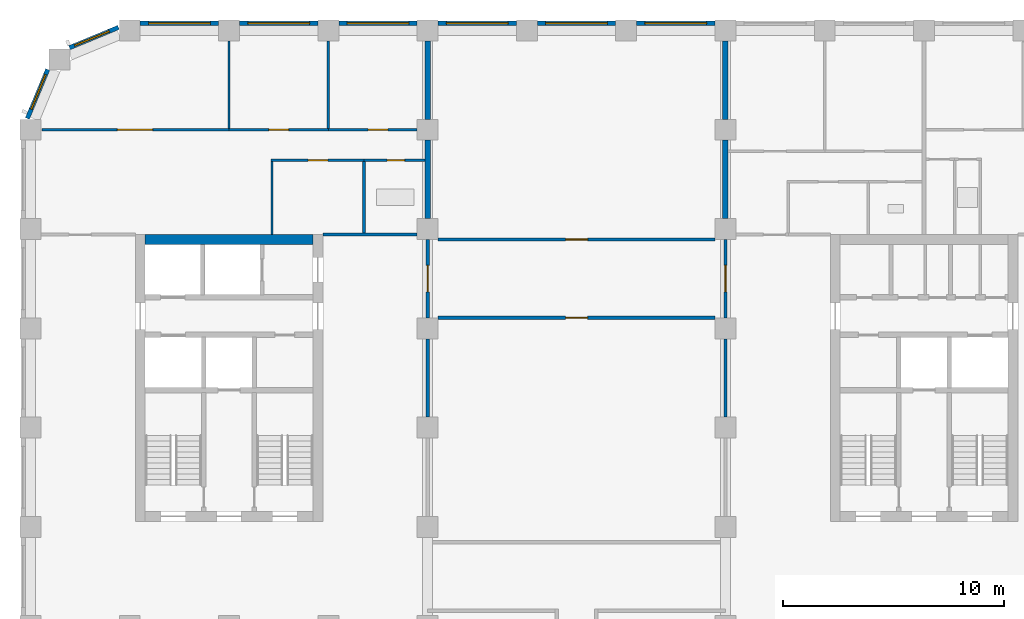
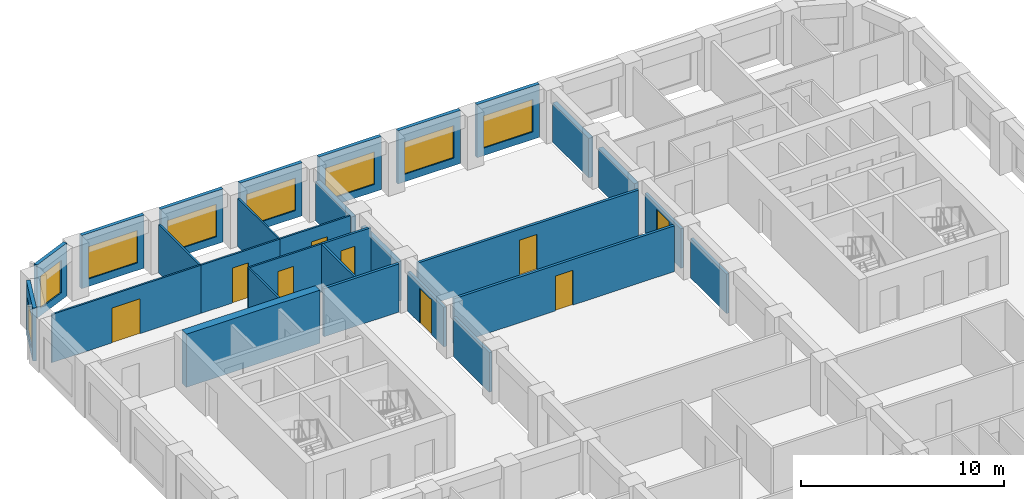
# One storey, part 7 of 12: 29 walls, 9 doors, 8 windows, 17 openings.
"""IFC4 building model written with IfcOpenShell, lengths in metres."""

import ifcopenshell
import ifcopenshell.guid

model = None  # the IFC model being written
_history = None  # IfcOwnerHistory: only IFC2X3 demands one
_inside = {}  # id of a spatial element -> (the spatial element, [elements in it])
_under = {}  # id of a project, library or spatial element -> (it, [spatial elements below it])
_declared = {}  # id of a project -> (the project, [libraries it declares])
_typed = {}  # id of a type object -> (the type object, [elements of that type])
_made_of = {}  # id of a material, layer set ... -> (it, [elements and type objects made of it])


def new_model(schema):
    """Start an empty IFC model of exactly this schema.

    Asked for "IFC4X3", IfcOpenShell would pick the latest addendum, in which some entities
    have other attributes; the version numbers below select the first issue.
    IFC2X3 requires an IfcOwnerHistory on every rooted entity: one is made here for all.
    """
    global model, _history
    if schema == "IFC4X3":
        model = ifcopenshell.file(schema_version=(4, 3, 0, 0))
    else:
        model = ifcopenshell.file(schema=schema)
    _inside.clear()
    _under.clear()
    _declared.clear()
    _typed.clear()
    _made_of.clear()
    _history = None
    if model.schema == "IFC2X3":
        org = make("IfcOrganization", Name="unknown")
        user = make(
            "IfcPersonAndOrganization",
            ThePerson=make("IfcPerson", FamilyName="unknown"),
            TheOrganization=org,
        )
        app = make(
            "IfcApplication",
            ApplicationDeveloper=org,
            Version="unknown",
            ApplicationFullName="unknown",
            ApplicationIdentifier="unknown",
        )
        _history = make(
            "IfcOwnerHistory",
            OwningUser=user,
            OwningApplication=app,
            ChangeAction="ADDED",
            CreationDate=0,
        )
    return model


def make(cls, **values):
    """One entity of the class cls with the attributes given. An attribute that is None is left unset."""
    return model.create_entity(
        cls, **{name: value for name, value in values.items() if value is not None}
    )


def rooted(cls, **values):
    """An entity with a GlobalId (a new one), such as an element, a storey or a relation."""
    return make(cls, GlobalId=ifcopenshell.guid.new(), OwnerHistory=_history, **values)


def si_unit(unit_type, name, prefix=None):
    """IfcSIUnit, for example si_unit("LENGTHUNIT", "METRE", prefix="MILLI")."""
    return make("IfcSIUnit", UnitType=unit_type, Prefix=prefix, Name=name)


def assignment(units):
    """IfcUnitAssignment: the units of a project."""
    return None if units is None else make("IfcUnitAssignment", Units=units)


def point(xyz):
    """IfcCartesianPoint."""
    return None if xyz is None else make("IfcCartesianPoint", Coordinates=xyz)


def direction(xyz):
    """IfcDirection."""
    return None if xyz is None else make("IfcDirection", DirectionRatios=xyz)


def frame(location, z_axis=None, x_axis=None):
    """IfcAxis2Placement3D, a coordinate frame: its origin and axes. An axis left out is left unset."""
    return make(
        "IfcAxis2Placement3D",
        Location=point(location),
        Axis=direction(z_axis),
        RefDirection=direction(x_axis),
    )


def frame_2d(location, x_axis=None):
    """IfcAxis2Placement2D, a coordinate frame in the plane: its origin and x axis."""
    return make(
        "IfcAxis2Placement2D", Location=point(location), RefDirection=direction(x_axis)
    )


def origin():
    """The frame at (0, 0, 0) with its axes left unset."""
    return frame((0.0, 0.0, 0.0))


def place(relative_to, where):
    """IfcLocalPlacement: puts the frame where relative to a parent placement (None: the world)."""
    return make(
        "IfcLocalPlacement", PlacementRelTo=relative_to, RelativePlacement=where
    )


def context(
    kind, dimensions, precision=None, world=None, true_north=None, identifier=None
):
    """IfcGeometricRepresentationContext, for example the 3D "Model" context."""
    return make(
        "IfcGeometricRepresentationContext",
        ContextIdentifier=identifier,
        ContextType=kind,
        CoordinateSpaceDimension=dimensions,
        Precision=precision,
        WorldCoordinateSystem=world,
        TrueNorth=true_north,
    )


def subcontext(parent, identifier, kind, view, scale=None):
    """IfcGeometricRepresentationSubContext, for example "Body" below "Model"."""
    return make(
        "IfcGeometricRepresentationSubContext",
        ContextIdentifier=identifier,
        ContextType=kind,
        ParentContext=parent,
        TargetScale=scale,
        TargetView=view,
    )


def project(units=None, contexts=None):
    """IfcProject with its units and contexts."""
    return rooted(
        "IfcProject",
        Name="project",
        RepresentationContexts=contexts,
        UnitsInContext=assignment(units),
    )


def spatial(cls, under=None, at=None, **own):
    """A site, building, storey or space (cls), placed at a placement, below another one or the project."""
    s = rooted(cls, ObjectPlacement=at, **own)
    if under is not None:
        _under.setdefault(under.id(), (under, []))[1].append(s)
    return s


def profile(cls, at=None, kind="AREA", **sizes):
    """A parametric profile (cls). Its sizes go by their IFC names, for example OverallWidth=200.0."""
    return make(cls, ProfileType=kind, Position=at, **sizes)


def rectangle(**sizes):
    """IfcRectangleProfileDef."""
    return profile("IfcRectangleProfileDef", **sizes)


def extrude(swept, where, along, depth):
    """IfcExtrudedAreaSolid: the profile swept, set in the frame where, extruded along a direction by depth."""
    return make(
        "IfcExtrudedAreaSolid",
        SweptArea=swept,
        Position=where,
        ExtrudedDirection=direction(along),
        Depth=depth,
    )


def shape(context_of_items, identifier, shape_type, items):
    """IfcShapeRepresentation: the items that make up one representation, for example the "Body"."""
    return make(
        "IfcShapeRepresentation",
        ContextOfItems=context_of_items,
        RepresentationIdentifier=identifier,
        RepresentationType=shape_type,
        Items=items,
    )


def material(Name=None, Category=None):
    """IfcMaterial."""
    return make("IfcMaterial", Name=Name, Category=Category)


def layer(
    of_material, thickness, ventilated=None, Name=None, Category=None, Priority=None
):
    """IfcMaterialLayer: one layer of a wall or slab, of a material (None: an air gap)."""
    return make(
        "IfcMaterialLayer",
        Material=of_material,
        LayerThickness=thickness,
        IsVentilated=ventilated,
        Name=Name,
        Category=Category,
        Priority=Priority,
    )


def layer_set(layers, Name=None):
    """IfcMaterialLayerSet."""
    return make("IfcMaterialLayerSet", MaterialLayers=layers, LayerSetName=Name)


def made_of(thing, what):
    """Note that an element or type object is made of a material, layer set ...; save() writes the relation."""
    if what is not None:
        _made_of.setdefault(what.id(), (what, []))[1].append(thing)
    return thing


def type_object(cls, material=None, **own):
    """A type object (cls), such as IfcWallType, which elements share."""
    return made_of(rooted(cls, **own), material)


def element(
    cls,
    number,
    at=None,
    inside=None,
    cuts=None,
    type_object=None,
    material=None,
    context=None,
    identifier="Body",
    shape_type=None,
    held_by="IfcProductDefinitionShape",
    body=None,
    shapes=None,
    **own,
):
    """One element of the class cls, such as IfcWall. Its Tag is "e" and its number.

    at: its placement. inside: the storey or other place that contains it. cuts: it is an
    opening in that element (IfcRelVoidsElement). A single representation is given by context,
    identifier, shape_type and body (its items); several are given by shapes. held_by: the class
    of the entity that holds the representations. save() writes the other relations.
    """
    e = rooted(cls, Tag="e%d" % number, ObjectPlacement=at, **own)
    if body is not None:
        shapes = [shape(context, identifier, shape_type, body)]
    if shapes is not None:
        e.Representation = make(held_by, Representations=shapes)
    if inside is not None:
        _inside.setdefault(inside.id(), (inside, []))[1].append(e)
    if cuts is not None:
        rooted(
            "IfcRelVoidsElement", RelatingBuildingElement=cuts, RelatedOpeningElement=e
        )
    if type_object is not None:
        _typed.setdefault(type_object.id(), (type_object, []))[1].append(e)
    return made_of(e, material)


def fill(opening, filler):
    """IfcRelFillsElement: the door or window that sits in an opening."""
    return rooted(
        "IfcRelFillsElement",
        RelatingOpeningElement=opening,
        RelatedBuildingElement=filler,
    )


def aggregate(whole, parts):
    """IfcRelAggregates: a whole, such as a stair, and the parts it consists of."""
    return rooted("IfcRelAggregates", RelatingObject=whole, RelatedObjects=parts)


def save(model, path):
    """Write the relations noted so far, then the file.

    IfcRelAggregates (storeys below a building ...), IfcRelContainedInSpatialStructure (elements
    in a storey), IfcRelDefinesByType, IfcRelAssociatesMaterial and IfcRelDeclares: one each for
    every whole, place, type object, material and project.
    """
    for whole, parts in _under.values():
        aggregate(whole, parts)
    for where, things in _inside.values():
        rooted(
            "IfcRelContainedInSpatialStructure",
            RelatedElements=things,
            RelatingStructure=where,
        )
    for kind, things in _typed.values():
        rooted("IfcRelDefinesByType", RelatedObjects=things, RelatingType=kind)
    for what, things in _made_of.values():
        rooted("IfcRelAssociatesMaterial", RelatedObjects=things, RelatingMaterial=what)
    for by, libraries in _declared.values():
        rooted("IfcRelDeclares", RelatingContext=by, RelatedDefinitions=libraries)
    model.write(path)


model = new_model("IFC4")

# Units and contexts
model_context = context("Model", 3, precision=1e-05, world=origin(), true_north=direction((0.0, 1.0)))
body_context = subcontext(model_context, "Body", "Model", "MODEL_VIEW")
ifc_project = project(units=[si_unit("LENGTHUNIT", "METRE"), si_unit("AREAUNIT", "SQUARE_METRE"), si_unit("VOLUMEUNIT", "CUBIC_METRE"), si_unit("PLANEANGLEUNIT", "RADIAN"), si_unit("MASSUNIT", "GRAM", prefix="KILO")], contexts=[model_context])

# Site, building, storey
site_placement = place(None, origin())
site = spatial("IfcSite", under=ifc_project, at=site_placement, CompositionType="ELEMENT")
building_placement = place(site_placement, origin())
building = spatial("IfcBuilding", under=site, at=building_placement, Name="Girih Gate Residences", CompositionType="ELEMENT")
storey_placement = place(building_placement, frame((0.0, 0.0, 143.0)))
storey = spatial("IfcBuildingStorey", under=building, at=storey_placement, Name="L40", CompositionType="ELEMENT", Elevation=143.0)

# Walls
ifc_material_1 = material(Name="Gypsum board on steel studs", Category="steel")
ifc_layer_1 = layer(ifc_material_1, 0.25)
ifc_layer_set_1 = layer_set([ifc_layer_1], Name="Acoustic separating wall 250 mm")
wall_type_1 = type_object("IfcWallType", Name="Acoustic separating wall 250 mm", PredefinedType="PARTITIONING", material=ifc_layer_set_1)
for number, where, z_axis, x_axis, name in (
    (1, (18.0, 40.97509765625, 0.0), (0.0, 0.0, 1.0), (0.0, 1.0, 0.0), "L40 partition"),
    (2, (18.0, 45.47509765625, 0.0), (0.0, 0.0, 1.0), (0.0, 1.0, 0.0), "L40 partition"),
    (3, (31.5, 40.97509765625, 0.0), (0.0, 0.0, 1.0), (0.0, 1.0, 0.0), "L40 partition"),
    (4, (31.5, 45.47509765625, 0.0), (0.0, 0.0, 1.0), (0.0, 1.0, 0.0), "L40 partition"),
):
    element("IfcWall", number, at=place(storey_placement, frame(where, z_axis=z_axis, x_axis=x_axis)), inside=storey, type_object=wall_type_1, Name=name, PredefinedType="PARTITIONING", context=body_context, shape_type="SweptSolid", body=[
        extrude(rectangle(XDim=3.5498046875, YDim=0.25, at=frame_2d((1.77490234375, 0.0))), origin(), (0.0, 0.0, 1.0), 2.3798828125),
    ])
ifc_layer_2 = layer(ifc_material_1, 0.14990234375)
ifc_layer_set_2 = layer_set([ifc_layer_2], Name="Compartment wall 150 mm")
wall_type_2 = type_object("IfcWallType", Name="Compartment wall 150 mm", PredefinedType="PARTITIONING", material=ifc_layer_set_2)
wall_1_placement = place(storey_placement, frame((13.25, 40.25, 0.0), z_axis=(0.0, 0.0, 1.0), x_axis=(1.0, 0.0, 0.0)))
element("IfcWall", 5, at=wall_1_placement, inside=storey, type_object=wall_type_2, Name="L40 partition", PredefinedType="PARTITIONING", context=body_context, shape_type="SweptSolid", body=[
    extrude(rectangle(XDim=4.27490234375, YDim=0.14990234375, at=frame_2d((2.137451171875, 0.0))), origin(), (0.0, 0.0, 1.0), 2.89990234375),
])

# Wall, opening, door
wall_2_placement = place(storey_placement, frame((18.47509765625, 40.02490234375, 0.0), z_axis=(0.0, 0.0, 1.0), x_axis=(1.0, 0.0, 0.0)))
wall_2 = element("IfcWall", 6, at=wall_2_placement, inside=storey, type_object=wall_type_2, Name="L40 partition", PredefinedType="PARTITIONING", context=body_context, shape_type="SweptSolid", body=[
    extrude(rectangle(XDim=12.5498046875, YDim=0.14990234375, at=frame_2d((6.27490234375, 0.0))), origin(), (0.0, 0.0, 1.0), 2.75),
])
opening_1_placement = place(wall_2_placement, frame((5.77490234375, 0.0, 0.0)))
opening_1 = element("IfcOpeningElement", 7, at=opening_1_placement, cuts=wall_2, Name="Opening A40-038", PredefinedType="OPENING", context=body_context, shape_type="SweptSolid", body=[
    extrude(rectangle(XDim=1.0, YDim=2.10009765625, at=frame_2d((0.5, 1.050048828125))), frame((0.0, 0.0849609375, 0.0), z_axis=(0.0, -1.0, 0.0), x_axis=(1.0, 0.0, 0.0)), (0.0, 0.0, 1.0), 0.169921875),
])
ifc_material_2 = material(Name="Timber, fire-rated core", Category="wood")
door_type_1 = type_object("IfcDoorType", Name="Amenity room door 1000x2100 FD30S", OperationType="NOTDEFINED", PredefinedType="DOOR", material=ifc_material_2)
door_1_placement = place(opening_1_placement, origin())
door_1 = element("IfcDoor", 8, at=door_1_placement, inside=storey, type_object=door_type_1, Name="Door A40-038", OperationType="SINGLE_SWING_RIGHT", OverallHeight=2.10009765625, OverallWidth=1.0, PredefinedType="DOOR", context=body_context, shape_type="SweptSolid", body=[
    extrude(rectangle(XDim=1.0, YDim=2.10009765625, at=frame_2d((0.5, 1.050048828125))), frame((0.0, 0.02490234375, 0.0), z_axis=(0.0, -1.0, 0.0), x_axis=(1.0, 0.0, 0.0)), (0.0, 0.0, 1.0), 0.050048828125),
])
fill(opening_1, door_1)

wall_3_placement = place(storey_placement, frame((31.02490234375, 36.47509765625, 0.0), z_axis=(0.0, 0.0, 1.0), x_axis=(-1.0, 0.0, 0.0)))
wall_3 = element("IfcWall", 9, at=wall_3_placement, inside=storey, type_object=wall_type_2, Name="L40 partition", PredefinedType="PARTITIONING", context=body_context, shape_type="SweptSolid", body=[
    extrude(rectangle(XDim=12.5498046875, YDim=0.14990234375, at=frame_2d((6.27490234375, 0.0))), origin(), (0.0, 0.0, 1.0), 2.75),
])
opening_2_placement = place(wall_3_placement, frame((5.77490234375, 0.0, 0.0)))
opening_2 = element("IfcOpeningElement", 10, at=opening_2_placement, cuts=wall_3, Name="Opening A40-039", PredefinedType="OPENING", context=body_context, shape_type="SweptSolid", body=[
    extrude(rectangle(XDim=1.0, YDim=2.10009765625, at=frame_2d((0.5, 1.050048828125))), frame((0.0, 0.0849609375, 0.0), z_axis=(0.0, -1.0, 0.0), x_axis=(1.0, 0.0, 0.0)), (0.0, 0.0, 1.0), 0.169921875),
])
door_2_placement = place(opening_2_placement, origin())
door_2 = element("IfcDoor", 11, at=door_2_placement, inside=storey, type_object=door_type_1, Name="Door A40-039", OperationType="SINGLE_SWING_RIGHT", OverallHeight=2.10009765625, OverallWidth=1.0, PredefinedType="DOOR", context=body_context, shape_type="SweptSolid", body=[
    extrude(rectangle(XDim=1.0, YDim=2.10009765625, at=frame_2d((0.5, 1.050048828125))), frame((0.0, 0.02490234375, 0.0), z_axis=(0.0, -1.0, 0.0), x_axis=(1.0, 0.0, 0.0)), (0.0, 0.0, 1.0), 0.050048828125),
])
fill(opening_2, door_2)

wall_4_placement = place(storey_placement, frame((31.5, 36.47509765625, 0.0), z_axis=(0.0, 0.0, 1.0), x_axis=(0.0, 1.0, 0.0)))
wall_4 = element("IfcWall", 12, at=wall_4_placement, inside=storey, type_object=wall_type_2, Name="L40 partition", PredefinedType="PARTITIONING", context=body_context, shape_type="SweptSolid", body=[
    extrude(rectangle(XDim=3.5498046875, YDim=0.14990234375, at=frame_2d((1.77490234375, 0.0))), origin(), (0.0, 0.0, 1.0), 2.3798828125),
])
opening_3_placement = place(wall_4_placement, frame((1.175048828125, 0.0, 0.0)))
opening_3 = element("IfcOpeningElement", 13, at=opening_3_placement, cuts=wall_4, Name="Opening A40-040", PredefinedType="OPENING", context=body_context, shape_type="SweptSolid", body=[
    extrude(rectangle(XDim=1.199951171875, YDim=2.10009765625, at=frame_2d((0.60009765625, 1.050048828125))), frame((0.0, 0.0849609375, 0.0), z_axis=(0.0, -1.0, 0.0), x_axis=(1.0, 0.0, 0.0)), (0.0, 0.0, 1.0), 0.169921875),
])
door_type_2 = type_object("IfcDoorType", Name="Corridor fire door 1200x2100 FD30S", OperationType="NOTDEFINED", PredefinedType="DOOR", material=ifc_material_2)
door_3_placement = place(opening_3_placement, origin())
door_3 = element("IfcDoor", 14, at=door_3_placement, inside=storey, type_object=door_type_2, Name="Door A40-040", OperationType="SINGLE_SWING_LEFT", OverallHeight=2.10009765625, OverallWidth=1.199951171875, PredefinedType="DOOR", context=body_context, shape_type="SweptSolid", body=[
    extrude(rectangle(XDim=1.199951171875, YDim=2.10009765625, at=frame_2d((0.60009765625, 1.050048828125))), frame((0.0, 0.02490234375, 0.0), z_axis=(0.0, -1.0, 0.0), x_axis=(1.0, 0.0, 0.0)), (0.0, 0.0, 1.0), 0.050048828125),
])
fill(opening_3, door_3)

wall_5_placement = place(storey_placement, frame((18.0, 40.02490234375, 0.0), z_axis=(0.0, 0.0, 1.0), x_axis=(0.0, -1.0, 0.0)))
wall_5 = element("IfcWall", 15, at=wall_5_placement, inside=storey, type_object=wall_type_2, Name="L40 partition", PredefinedType="PARTITIONING", context=body_context, shape_type="SweptSolid", body=[
    extrude(rectangle(XDim=3.5498046875, YDim=0.14990234375, at=frame_2d((1.77490234375, 0.0))), origin(), (0.0, 0.0, 1.0), 2.3798828125),
])
opening_4_placement = place(wall_5_placement, frame((1.175048828125, 0.0, 0.0)))
opening_4 = element("IfcOpeningElement", 16, at=opening_4_placement, cuts=wall_5, Name="Opening A40-041", PredefinedType="OPENING", context=body_context, shape_type="SweptSolid", body=[
    extrude(rectangle(XDim=1.199951171875, YDim=2.10009765625, at=frame_2d((0.60009765625, 1.050048828125))), frame((0.0, 0.0849609375, 0.0), z_axis=(0.0, -1.0, 0.0), x_axis=(1.0, 0.0, 0.0)), (0.0, 0.0, 1.0), 0.169921875),
])
door_4_placement = place(opening_4_placement, origin())
door_4 = element("IfcDoor", 17, at=door_4_placement, inside=storey, type_object=door_type_2, Name="Door A40-041", OperationType="SINGLE_SWING_LEFT", OverallHeight=2.10009765625, OverallWidth=1.199951171875, PredefinedType="DOOR", context=body_context, shape_type="SweptSolid", body=[
    extrude(rectangle(XDim=1.199951171875, YDim=2.10009765625, at=frame_2d((0.60009765625, 1.050048828125))), frame((0.0, 0.02490234375, 0.0), z_axis=(0.0, -1.0, 0.0), x_axis=(1.0, 0.0, 0.0)), (0.0, 0.0, 1.0), 0.050048828125),
])
fill(opening_4, door_4)

# Walls
for number, where, z_axis, x_axis, name in (
    (18, (31.5, 31.97509765625, 0.0), (0.0, 0.0, 1.0), (0.0, 1.0, 0.0), "L40 partition"),
    (19, (18.0, 31.97509765625, 0.0), (0.0, 0.0, 1.0), (0.0, 1.0, 0.0), "L40 partition"),
):
    element("IfcWall", number, at=place(storey_placement, frame(where, z_axis=z_axis, x_axis=x_axis)), inside=storey, type_object=wall_type_2, Name=name, PredefinedType="PARTITIONING", context=body_context, shape_type="SweptSolid", body=[
        extrude(rectangle(XDim=3.5498046875, YDim=0.14990234375, at=frame_2d((1.77490234375, 0.0))), origin(), (0.0, 0.0, 1.0), 2.3798828125),
    ])
ifc_material_3 = material(Name="Concrete C60/75", Category="concrete")
ifc_layer_3 = layer(ifc_material_3, 0.449951171875)
ifc_layer_set_3 = layer_set([ifc_layer_3], Name="Core wall RC 450 Concrete C60/75")
wall_type_3 = type_object("IfcWallType", Name="Core wall RC 450 Concrete C60/75", PredefinedType="SOLIDWALL", material=ifc_layer_set_3)
wall_6_placement = place(storey_placement, frame((5.199951171875, 40.02490234375, 0.0), z_axis=(0.0, 0.0, 1.0), x_axis=(1.0, 0.0, 0.0)))
element("IfcWall", 20, at=wall_6_placement, inside=storey, type_object=wall_type_3, Name="Core wall W-N L40", PredefinedType="SOLIDWALL", context=body_context, shape_type="SweptSolid", body=[
    extrude(rectangle(XDim=7.60009765625, YDim=0.449951171875, at=frame_2d((3.800048828125, 0.0))), origin(), (0.0, 0.0, 1.0), 3.199951171875),
])
ifc_layer_4 = layer(ifc_material_1, 0.10009765625)
ifc_layer_set_4 = layer_set([ifc_layer_4], Name="Partition 100 mm")
wall_type_4 = type_object("IfcWallType", Name="Partition 100 mm", PredefinedType="PARTITIONING", material=ifc_layer_set_4)
wall_7_placement = place(storey_placement, frame((13.5, 45.050048828125, 0.0), z_axis=(0.0, 0.0, 1.0), x_axis=(0.0, 1.0, 0.0)))
element("IfcWall", 21, at=wall_7_placement, inside=storey, type_object=wall_type_4, Name="L40 partition", PredefinedType="PARTITIONING", context=body_context, shape_type="SweptSolid", body=[
    extrude(rectangle(XDim=3.974853515625, YDim=0.10009765625, at=frame_2d((1.9873046875, 0.0))), origin(), (0.0, 0.0, 1.0), 2.89990234375),
])

# Wall, opening, door
wall_8_placement = place(storey_placement, frame((9.0, 45.0, 0.0), z_axis=(0.0, 0.0, 1.0), x_axis=(1.0, 0.0, 0.0)))
wall_8 = element("IfcWall", 22, at=wall_8_placement, inside=storey, type_object=wall_type_4, Name="L40 partition", PredefinedType="PARTITIONING", context=body_context, shape_type="SweptSolid", body=[
    extrude(rectangle(XDim=4.5, YDim=0.10009765625, at=frame_2d((2.25, 0.0))), origin(), (0.0, 0.0, 1.0), 2.89990234375),
])
opening_5_placement = place(wall_8_placement, frame((1.800048828125, 0.0, 0.0)))
opening_5 = element("IfcOpeningElement", 23, at=opening_5_placement, cuts=wall_8, Name="Opening A40-011", PredefinedType="OPENING", context=body_context, shape_type="SweptSolid", body=[
    extrude(rectangle(XDim=0.89990234375, YDim=2.10009765625, at=frame_2d((0.449951171875, 1.050048828125))), frame((0.0, 0.06005859375, 0.0), z_axis=(0.0, -1.0, 0.0), x_axis=(1.0, 0.0, 0.0)), (0.0, 0.0, 1.0), 0.1201171875),
])
ifc_material_4 = material(Name="Timber", Category="wood")
door_type_3 = type_object("IfcDoorType", Name="Bedroom door 900x2100", OperationType="NOTDEFINED", PredefinedType="DOOR", material=ifc_material_4)
door_5_placement = place(opening_5_placement, origin())
door_5 = element("IfcDoor", 24, at=door_5_placement, inside=storey, type_object=door_type_3, Name="Door A40-011", OperationType="SINGLE_SWING_LEFT", OverallHeight=2.10009765625, OverallWidth=0.89990234375, PredefinedType="DOOR", context=body_context, shape_type="SweptSolid", body=[
    extrude(rectangle(XDim=0.89990234375, YDim=2.10009765625, at=frame_2d((0.449951171875, 1.050048828125))), frame((0.0, 0.02490234375, 0.0), z_axis=(0.0, -1.0, 0.0), x_axis=(1.0, 0.0, 0.0)), (0.0, 0.0, 1.0), 0.050048828125),
])
fill(opening_5, door_5)

# Wall
wall_9_placement = place(storey_placement, frame((9.0, 45.050048828125, 0.0), z_axis=(0.0, 0.0, 1.0), x_axis=(0.0, 1.0, 0.0)))
element("IfcWall", 25, at=wall_9_placement, inside=storey, type_object=wall_type_4, Name="L40 partition", PredefinedType="PARTITIONING", context=body_context, shape_type="SweptSolid", body=[
    extrude(rectangle(XDim=3.974853515625, YDim=0.10009765625, at=frame_2d((1.9873046875, 0.0))), origin(), (0.0, 0.0, 1.0), 2.89990234375),
])

# Wall, opening, door
wall_10_placement = place(storey_placement, frame((13.5, 45.0, 0.0), z_axis=(0.0, 0.0, 1.0), x_axis=(1.0, 0.0, 0.0)))
wall_10 = element("IfcWall", 26, at=wall_10_placement, inside=storey, type_object=wall_type_4, Name="L40 partition", PredefinedType="PARTITIONING", context=body_context, shape_type="SweptSolid", body=[
    extrude(rectangle(XDim=4.02490234375, YDim=0.10009765625, at=frame_2d((2.012451171875, 0.0))), origin(), (0.0, 0.0, 1.0), 2.89990234375),
])
opening_6_placement = place(wall_10_placement, frame((1.800048828125, 0.0, 0.0)))
opening_6 = element("IfcOpeningElement", 27, at=opening_6_placement, cuts=wall_10, Name="Opening A40-012", PredefinedType="OPENING", context=body_context, shape_type="SweptSolid", body=[
    extrude(rectangle(XDim=0.89990234375, YDim=2.10009765625, at=frame_2d((0.449951171875, 1.050048828125))), frame((0.0, 0.06005859375, 0.0), z_axis=(0.0, -1.0, 0.0), x_axis=(1.0, 0.0, 0.0)), (0.0, 0.0, 1.0), 0.1201171875),
])
door_6_placement = place(opening_6_placement, origin())
door_6 = element("IfcDoor", 28, at=door_6_placement, inside=storey, type_object=door_type_3, Name="Door A40-012", OperationType="SINGLE_SWING_RIGHT", OverallHeight=2.10009765625, OverallWidth=0.89990234375, PredefinedType="DOOR", context=body_context, shape_type="SweptSolid", body=[
    extrude(rectangle(XDim=0.89990234375, YDim=2.10009765625, at=frame_2d((0.449951171875, 1.050048828125))), frame((0.0, 0.02490234375, 0.0), z_axis=(0.0, -1.0, 0.0), x_axis=(1.0, 0.0, 0.0)), (0.0, 0.0, 1.0), 0.050048828125),
])
fill(opening_6, door_6)

wall_11_placement = place(storey_placement, frame((15.119384765625, 43.6201171875, 0.0), z_axis=(0.0, 0.0, 1.0), x_axis=(-1.0, 0.0, 0.0)))
wall_11 = element("IfcWall", 29, at=wall_11_placement, inside=storey, type_object=wall_type_4, Name="L40 partition", PredefinedType="PARTITIONING", context=body_context, shape_type="SweptSolid", body=[
    extrude(rectangle(XDim=4.219482421875, YDim=0.10009765625, at=frame_2d((2.10986328125, 0.0))), origin(), (0.0, 0.0, 1.0), 2.89990234375),
])
opening_7_placement = place(wall_11_placement, frame((1.634765625, 0.0, 0.0)))
opening_7 = element("IfcOpeningElement", 30, at=opening_7_placement, cuts=wall_11, Name="Opening A40-013", PredefinedType="OPENING", context=body_context, shape_type="SweptSolid", body=[
    extrude(rectangle(XDim=0.89990234375, YDim=2.10009765625, at=frame_2d((0.449951171875, 1.050048828125))), frame((0.0, 0.06005859375, 0.0), z_axis=(0.0, -1.0, 0.0), x_axis=(1.0, 0.0, 0.0)), (0.0, 0.0, 1.0), 0.1201171875),
])
door_type_4 = type_object("IfcDoorType", Name="Kitchen door 900x2100", OperationType="NOTDEFINED", PredefinedType="DOOR", material=ifc_material_4)
door_7_placement = place(opening_7_placement, origin())
door_7 = element("IfcDoor", 31, at=door_7_placement, inside=storey, type_object=door_type_4, Name="Door A40-013", OperationType="SINGLE_SWING_LEFT", OverallHeight=2.10009765625, OverallWidth=0.89990234375, PredefinedType="DOOR", context=body_context, shape_type="SweptSolid", body=[
    extrude(rectangle(XDim=0.89990234375, YDim=2.10009765625, at=frame_2d((0.449951171875, 1.050048828125))), frame((0.0, 0.02490234375, 0.0), z_axis=(0.0, -1.0, 0.0), x_axis=(1.0, 0.0, 0.0)), (0.0, 0.0, 1.0), 0.050048828125),
])
fill(opening_7, door_7)

# Wall
wall_12_placement = place(storey_placement, frame((10.949951171875, 40.25, 0.0), z_axis=(0.0, 0.0, 1.0), x_axis=(0.0, 1.0, 0.0)))
element("IfcWall", 32, at=wall_12_placement, inside=storey, type_object=wall_type_4, Name="L40 partition", PredefinedType="PARTITIONING", context=body_context, shape_type="SweptSolid", body=[
    extrude(rectangle(XDim=3.320068359375, YDim=0.10009765625, at=frame_2d((1.66015625, 0.0))), origin(), (0.0, 0.0, 1.0), 2.89990234375),
])

# Wall, opening, door
wall_13_placement = place(storey_placement, frame((0.51416015625, 45.0, 0.0), z_axis=(0.0, 0.0, 1.0), x_axis=(1.0, 0.0, 0.0)))
wall_13 = element("IfcWall", 33, at=wall_13_placement, inside=storey, type_object=wall_type_4, Name="L40 partition", PredefinedType="PARTITIONING", context=body_context, shape_type="SweptSolid", body=[
    extrude(rectangle(XDim=8.48583984375, YDim=0.10009765625, at=frame_2d((4.242919921875, 0.0))), origin(), (0.0, 0.0, 1.0), 2.89990234375),
])
opening_8_placement = place(wall_13_placement, frame((3.42333984375, 0.0, 0.0)))
opening_8 = element("IfcOpeningElement", 34, at=opening_8_placement, cuts=wall_13, Name="Opening A40-014", PredefinedType="OPENING", context=body_context, shape_type="SweptSolid", body=[
    extrude(rectangle(XDim=1.60009765625, YDim=2.10009765625, at=frame_2d((0.800048828125, 1.050048828125))), frame((0.0, 0.06005859375, 0.0), z_axis=(0.0, -1.0, 0.0), x_axis=(1.0, 0.0, 0.0)), (0.0, 0.0, 1.0), 0.1201171875),
])
door_type_5 = type_object("IfcDoorType", Name="Double leaf door 1600x2100", OperationType="NOTDEFINED", PredefinedType="DOOR", material=ifc_material_4)
door_8_placement = place(opening_8_placement, origin())
door_8 = element("IfcDoor", 35, at=door_8_placement, inside=storey, type_object=door_type_5, Name="Door A40-014", OperationType="SINGLE_SWING_LEFT", OverallHeight=2.10009765625, OverallWidth=1.60009765625, PredefinedType="DOOR", context=body_context, shape_type="SweptSolid", body=[
    extrude(rectangle(XDim=1.60009765625, YDim=2.10009765625, at=frame_2d((0.800048828125, 1.050048828125))), frame((0.0, 0.02490234375, 0.0), z_axis=(0.0, -1.0, 0.0), x_axis=(1.0, 0.0, 0.0)), (0.0, 0.0, 1.0), 0.050048828125),
])
fill(opening_8, door_8)

# Wall, opening, window
ifc_material_5 = material(Name="Precast concrete C50/60", Category="concrete")
ifc_layer_5 = layer(ifc_material_5, 0.06005859375, Name="Outer leaf")
ifc_material_6 = material(Name="Rigid PIR insulation")
ifc_layer_6 = layer(ifc_material_6, 0.090087890625, Name="Insulation")
ifc_material_7 = material(Name="Precast concrete C40/50", Category="concrete")
ifc_layer_7 = layer(ifc_material_7, 0.050048828125, Name="Inner leaf")
ifc_layer_set_5 = layer_set([ifc_layer_5, ifc_layer_6, ifc_layer_7], Name="Precast concrete C50/60 external wall 200")
wall_type_5 = type_object("IfcWallType", Name="Precast concrete C50/60 external wall 200", PredefinedType="SOLIDWALL", material=ifc_layer_set_5)
wall_14_placement = place(storey_placement, frame((27.47509765625, 49.824951171875, 0.0), z_axis=(0.0, 0.0, 1.0), x_axis=(1.0, 0.0, 0.0)))
wall_14 = element("IfcWall", 36, at=wall_14_placement, inside=storey, type_object=wall_type_5, Name="External wall N0450_0495.3", PredefinedType="SOLIDWALL", context=body_context, shape_type="SweptSolid", body=[
    extrude(rectangle(XDim=3.5498046875, YDim=0.199951171875, at=frame_2d((1.77490234375, 0.0))), origin(), (0.0, 0.0, 1.0), 3.199951171875),
])
opening_9_placement = place(wall_14_placement, frame((0.375, 0.0, 0.449951171875)))
opening_9 = element("IfcOpeningElement", 37, at=opening_9_placement, cuts=wall_14, Name="Opening W-1B", PredefinedType="OPENING", context=body_context, shape_type="SweptSolid", body=[
    extrude(rectangle(XDim=2.800048828125, YDim=1.949951171875, at=frame_2d((1.39990234375, 0.97509765625))), frame((0.0, 0.10986328125, 0.0), z_axis=(0.0, -1.0, 0.0), x_axis=(1.0, 0.0, 0.0)), (0.0, 0.0, 1.0), 0.219970703125),
])
ifc_material_8 = material(Name="Double glazing in aluminium frame", Category="aluminium")
window_type_1 = type_object("IfcWindowType", Name="Window W-1B 2800x1950", PartitioningType="SINGLE_PANEL", PredefinedType="WINDOW", material=ifc_material_8)
window_1_placement = place(opening_9_placement, origin())
window_1 = element("IfcWindow", 38, at=window_1_placement, inside=storey, type_object=window_type_1, Name="Window W-1B N0450_0495.3", OverallHeight=1.949951171875, OverallWidth=2.800048828125, PartitioningType="SINGLE_PANEL", PredefinedType="WINDOW", context=body_context, shape_type="SweptSolid", body=[
    extrude(rectangle(XDim=2.800048828125, YDim=1.949951171875, at=frame_2d((1.39990234375, 0.97509765625))), frame((0.0, 0.030029296875, 0.0), z_axis=(0.0, -1.0, 0.0), x_axis=(1.0, 0.0, 0.0)), (0.0, 0.0, 1.0), 0.06005859375),
])
fill(opening_9, window_1)

wall_15_placement = place(storey_placement, frame((22.97509765625, 49.824951171875, 0.0), z_axis=(0.0, 0.0, 1.0), x_axis=(1.0, 0.0, 0.0)))
wall_15 = element("IfcWall", 39, at=wall_15_placement, inside=storey, type_object=wall_type_5, Name="External wall N0450_0495.4", PredefinedType="SOLIDWALL", context=body_context, shape_type="SweptSolid", body=[
    extrude(rectangle(XDim=3.5498046875, YDim=0.199951171875, at=frame_2d((1.77490234375, 0.0))), origin(), (0.0, 0.0, 1.0), 3.199951171875),
])
opening_10_placement = place(wall_15_placement, frame((0.375, 0.0, 0.449951171875)))
opening_10 = element("IfcOpeningElement", 40, at=opening_10_placement, cuts=wall_15, Name="Opening W-1B", PredefinedType="OPENING", context=body_context, shape_type="SweptSolid", body=[
    extrude(rectangle(XDim=2.800048828125, YDim=1.949951171875, at=frame_2d((1.39990234375, 0.97509765625))), frame((0.0, 0.10986328125, 0.0), z_axis=(0.0, -1.0, 0.0), x_axis=(1.0, 0.0, 0.0)), (0.0, 0.0, 1.0), 0.219970703125),
])
window_2_placement = place(opening_10_placement, origin())
window_2 = element("IfcWindow", 41, at=window_2_placement, inside=storey, type_object=window_type_1, Name="Window W-1B N0450_0495.4", OverallHeight=1.949951171875, OverallWidth=2.800048828125, PartitioningType="SINGLE_PANEL", PredefinedType="WINDOW", context=body_context, shape_type="SweptSolid", body=[
    extrude(rectangle(XDim=2.800048828125, YDim=1.949951171875, at=frame_2d((1.39990234375, 0.97509765625))), frame((0.0, 0.030029296875, 0.0), z_axis=(0.0, -1.0, 0.0), x_axis=(1.0, 0.0, 0.0)), (0.0, 0.0, 1.0), 0.06005859375),
])
fill(opening_10, window_2)

wall_16_placement = place(storey_placement, frame((18.47509765625, 49.824951171875, 0.0), z_axis=(0.0, 0.0, 1.0), x_axis=(1.0, 0.0, 0.0)))
wall_16 = element("IfcWall", 42, at=wall_16_placement, inside=storey, type_object=wall_type_5, Name="External wall N0450_0495.5", PredefinedType="SOLIDWALL", context=body_context, shape_type="SweptSolid", body=[
    extrude(rectangle(XDim=3.5498046875, YDim=0.199951171875, at=frame_2d((1.77490234375, 0.0))), origin(), (0.0, 0.0, 1.0), 3.199951171875),
])
opening_11_placement = place(wall_16_placement, frame((0.375, 0.0, 0.449951171875)))
opening_11 = element("IfcOpeningElement", 43, at=opening_11_placement, cuts=wall_16, Name="Opening W-1B", PredefinedType="OPENING", context=body_context, shape_type="SweptSolid", body=[
    extrude(rectangle(XDim=2.800048828125, YDim=1.949951171875, at=frame_2d((1.39990234375, 0.97509765625))), frame((0.0, 0.10986328125, 0.0), z_axis=(0.0, -1.0, 0.0), x_axis=(1.0, 0.0, 0.0)), (0.0, 0.0, 1.0), 0.219970703125),
])
window_3_placement = place(opening_11_placement, origin())
window_3 = element("IfcWindow", 44, at=window_3_placement, inside=storey, type_object=window_type_1, Name="Window W-1B N0450_0495.5", OverallHeight=1.949951171875, OverallWidth=2.800048828125, PartitioningType="SINGLE_PANEL", PredefinedType="WINDOW", context=body_context, shape_type="SweptSolid", body=[
    extrude(rectangle(XDim=2.800048828125, YDim=1.949951171875, at=frame_2d((1.39990234375, 0.97509765625))), frame((0.0, 0.030029296875, 0.0), z_axis=(0.0, -1.0, 0.0), x_axis=(1.0, 0.0, 0.0)), (0.0, 0.0, 1.0), 0.06005859375),
])
fill(opening_11, window_3)

wall_17_placement = place(storey_placement, frame((13.97509765625, 49.824951171875, 0.0), z_axis=(0.0, 0.0, 1.0), x_axis=(1.0, 0.0, 0.0)))
wall_17 = element("IfcWall", 45, at=wall_17_placement, inside=storey, type_object=wall_type_5, Name="External wall N0450_0495.6", PredefinedType="SOLIDWALL", context=body_context, shape_type="SweptSolid", body=[
    extrude(rectangle(XDim=3.5498046875, YDim=0.199951171875, at=frame_2d((1.77490234375, 0.0))), origin(), (0.0, 0.0, 1.0), 3.199951171875),
])
opening_12_placement = place(wall_17_placement, frame((0.375, 0.0, 0.449951171875)))
opening_12 = element("IfcOpeningElement", 46, at=opening_12_placement, cuts=wall_17, Name="Opening W-1B", PredefinedType="OPENING", context=body_context, shape_type="SweptSolid", body=[
    extrude(rectangle(XDim=2.800048828125, YDim=1.949951171875, at=frame_2d((1.39990234375, 0.97509765625))), frame((0.0, 0.10986328125, 0.0), z_axis=(0.0, -1.0, 0.0), x_axis=(1.0, 0.0, 0.0)), (0.0, 0.0, 1.0), 0.219970703125),
])
window_4_placement = place(opening_12_placement, origin())
window_4 = element("IfcWindow", 47, at=window_4_placement, inside=storey, type_object=window_type_1, Name="Window W-1B N0450_0495.6", OverallHeight=1.949951171875, OverallWidth=2.800048828125, PartitioningType="SINGLE_PANEL", PredefinedType="WINDOW", context=body_context, shape_type="SweptSolid", body=[
    extrude(rectangle(XDim=2.800048828125, YDim=1.949951171875, at=frame_2d((1.39990234375, 0.97509765625))), frame((0.0, 0.030029296875, 0.0), z_axis=(0.0, -1.0, 0.0), x_axis=(1.0, 0.0, 0.0)), (0.0, 0.0, 1.0), 0.06005859375),
])
fill(opening_12, window_4)

wall_18_placement = place(storey_placement, frame((9.47509765625, 49.824951171875, 0.0), z_axis=(0.0, 0.0, 1.0), x_axis=(1.0, 0.0, 0.0)))
wall_18 = element("IfcWall", 48, at=wall_18_placement, inside=storey, type_object=wall_type_5, Name="External wall N0450_0495.7", PredefinedType="SOLIDWALL", context=body_context, shape_type="SweptSolid", body=[
    extrude(rectangle(XDim=3.5498046875, YDim=0.199951171875, at=frame_2d((1.77490234375, 0.0))), origin(), (0.0, 0.0, 1.0), 3.199951171875),
])
opening_13_placement = place(wall_18_placement, frame((0.375, 0.0, 0.449951171875)))
opening_13 = element("IfcOpeningElement", 49, at=opening_13_placement, cuts=wall_18, Name="Opening W-1B", PredefinedType="OPENING", context=body_context, shape_type="SweptSolid", body=[
    extrude(rectangle(XDim=2.800048828125, YDim=1.949951171875, at=frame_2d((1.39990234375, 0.97509765625))), frame((0.0, 0.10986328125, 0.0), z_axis=(0.0, -1.0, 0.0), x_axis=(1.0, 0.0, 0.0)), (0.0, 0.0, 1.0), 0.219970703125),
])
window_5_placement = place(opening_13_placement, origin())
window_5 = element("IfcWindow", 50, at=window_5_placement, inside=storey, type_object=window_type_1, Name="Window W-1B N0450_0495.7", OverallHeight=1.949951171875, OverallWidth=2.800048828125, PartitioningType="SINGLE_PANEL", PredefinedType="WINDOW", context=body_context, shape_type="SweptSolid", body=[
    extrude(rectangle(XDim=2.800048828125, YDim=1.949951171875, at=frame_2d((1.39990234375, 0.97509765625))), frame((0.0, 0.030029296875, 0.0), z_axis=(0.0, -1.0, 0.0), x_axis=(1.0, 0.0, 0.0)), (0.0, 0.0, 1.0), 0.06005859375),
])
fill(opening_13, window_5)

wall_19_placement = place(storey_placement, frame((4.97509765625, 49.824951171875, 0.0), z_axis=(0.0, 0.0, 1.0), x_axis=(1.0, 0.0, 0.0)))
wall_19 = element("IfcWall", 51, at=wall_19_placement, inside=storey, type_object=wall_type_5, Name="External wall N0450_0495.8", PredefinedType="SOLIDWALL", context=body_context, shape_type="SweptSolid", body=[
    extrude(rectangle(XDim=3.5498046875, YDim=0.199951171875, at=frame_2d((1.77490234375, 0.0))), origin(), (0.0, 0.0, 1.0), 3.199951171875),
])
opening_14_placement = place(wall_19_placement, frame((0.375, 0.0, 0.449951171875)))
opening_14 = element("IfcOpeningElement", 52, at=opening_14_placement, cuts=wall_19, Name="Opening W-1B", PredefinedType="OPENING", context=body_context, shape_type="SweptSolid", body=[
    extrude(rectangle(XDim=2.800048828125, YDim=1.949951171875, at=frame_2d((1.39990234375, 0.97509765625))), frame((0.0, 0.10986328125, 0.0), z_axis=(0.0, -1.0, 0.0), x_axis=(1.0, 0.0, 0.0)), (0.0, 0.0, 1.0), 0.219970703125),
])
window_6_placement = place(opening_14_placement, origin())
window_6 = element("IfcWindow", 53, at=window_6_placement, inside=storey, type_object=window_type_1, Name="Window W-1B N0450_0495.8", OverallHeight=1.949951171875, OverallWidth=2.800048828125, PartitioningType="SINGLE_PANEL", PredefinedType="WINDOW", context=body_context, shape_type="SweptSolid", body=[
    extrude(rectangle(XDim=2.800048828125, YDim=1.949951171875, at=frame_2d((1.39990234375, 0.97509765625))), frame((0.0, 0.030029296875, 0.0), z_axis=(0.0, -1.0, 0.0), x_axis=(1.0, 0.0, 0.0)), (0.0, 0.0, 1.0), 0.06005859375),
])
fill(opening_14, window_6)

wall_20_placement = place(storey_placement, frame((1.76708984375, 48.7197265625, 0.0), z_axis=(0.0, 0.0, 1.0), x_axis=(0.923880599843, 0.382680855588, 0.0)))
wall_20 = element("IfcWall", 54, at=wall_20_placement, inside=storey, type_object=wall_type_5, Name="External wall NW0045_0495.0", PredefinedType="SOLIDWALL", context=body_context, shape_type="SweptSolid", body=[
    extrude(rectangle(XDim=2.402587890625, YDim=0.199951171875, at=frame_2d((1.201171875, 0.0))), origin(), (0.0, 0.0, 1.0), 3.199951171875),
])
opening_15_placement = place(wall_20_placement, frame((0.25146484375, 0.0, 0.449951171875)))
opening_15 = element("IfcOpeningElement", 55, at=opening_15_placement, cuts=wall_20, Name="Opening W-2E", PredefinedType="OPENING", context=body_context, shape_type="SweptSolid", body=[
    extrude(rectangle(XDim=1.699951171875, YDim=1.949951171875, at=frame_2d((0.85009765625, 0.97509765625))), frame((0.0, 0.10986328125, 0.0), z_axis=(0.0, -1.0, 0.0), x_axis=(1.0, 0.0, 0.0)), (0.0, 0.0, 1.0), 0.219970703125),
])
window_type_2 = type_object("IfcWindowType", Name="Window W-2E 1700x1950", PartitioningType="SINGLE_PANEL", PredefinedType="WINDOW", material=ifc_material_8)
window_7_placement = place(opening_15_placement, origin())
window_7 = element("IfcWindow", 56, at=window_7_placement, inside=storey, type_object=window_type_2, Name="Window W-2E NW0045_0495.0", OverallHeight=1.949951171875, OverallWidth=1.699951171875, PartitioningType="SINGLE_PANEL", PredefinedType="WINDOW", context=body_context, shape_type="SweptSolid", body=[
    extrude(rectangle(XDim=1.699951171875, YDim=1.949951171875, at=frame_2d((0.85009765625, 0.97509765625))), frame((0.0, 0.030029296875, 0.0), z_axis=(0.0, -1.0, 0.0), x_axis=(1.0, 0.0, 0.0)), (0.0, 0.0, 1.0), 0.06005859375),
])
fill(opening_15, window_7)

wall_21_placement = place(storey_placement, frame((-0.13916015625, 45.51318359375, 0.0), z_axis=(0.0, 0.0, 1.0), x_axis=(0.382680855588, 0.923880599843, 0.0)))
wall_21 = element("IfcWall", 57, at=wall_21_placement, inside=storey, type_object=wall_type_5, Name="External wall NW0013_0482.0", PredefinedType="SOLIDWALL", context=body_context, shape_type="SweptSolid", body=[
    extrude(rectangle(XDim=2.402587890625, YDim=0.199951171875, at=frame_2d((1.201171875, 0.0))), origin(), (0.0, 0.0, 1.0), 3.199951171875),
])
opening_16_placement = place(wall_21_placement, frame((0.451171875, 0.0, 0.449951171875)))
opening_16 = element("IfcOpeningElement", 58, at=opening_16_placement, cuts=wall_21, Name="Opening W-2E", PredefinedType="OPENING", context=body_context, shape_type="SweptSolid", body=[
    extrude(rectangle(XDim=1.699951171875, YDim=1.949951171875, at=frame_2d((0.85009765625, 0.97509765625))), frame((0.0, 0.10986328125, 0.0), z_axis=(0.0, -1.0, 0.0), x_axis=(1.0, 0.0, 0.0)), (0.0, 0.0, 1.0), 0.219970703125),
])
window_8_placement = place(opening_16_placement, origin())
window_8 = element("IfcWindow", 59, at=window_8_placement, inside=storey, type_object=window_type_2, Name="Window W-2E NW0013_0482.0", OverallHeight=1.949951171875, OverallWidth=1.699951171875, PartitioningType="SINGLE_PANEL", PredefinedType="WINDOW", context=body_context, shape_type="SweptSolid", body=[
    extrude(rectangle(XDim=1.699951171875, YDim=1.949951171875, at=frame_2d((0.85009765625, 0.97509765625))), frame((0.0, 0.030029296875, 0.0), z_axis=(0.0, -1.0, 0.0), x_axis=(1.0, 0.0, 0.0)), (0.0, 0.0, 1.0), 0.06005859375),
])
fill(opening_16, window_8)

# Wall, opening, door
ifc_layer_8 = layer(ifc_material_1, 0.125)
ifc_layer_set_6 = layer_set([ifc_layer_8], Name="Wet room wall 125 mm")
wall_type_6 = type_object("IfcWallType", Name="Wet room wall 125 mm", PredefinedType="PARTITIONING", material=ifc_layer_set_6)
wall_22_placement = place(storey_placement, frame((17.875, 43.6201171875, 0.0), z_axis=(0.0, 0.0, 1.0), x_axis=(-1.0, 0.0, 0.0)))
wall_22 = element("IfcWall", 60, at=wall_22_placement, inside=storey, type_object=wall_type_6, Name="L40 partition", PredefinedType="PARTITIONING", context=body_context, shape_type="SweptSolid", body=[
    extrude(rectangle(XDim=2.755615234375, YDim=0.125, at=frame_2d((1.3779296875, 0.0))), origin(), (0.0, 0.0, 1.0), 2.89990234375),
])
opening_17_placement = place(wall_22_placement, frame((0.915283203125, 0.0, 0.0)))
opening_17 = element("IfcOpeningElement", 61, at=opening_17_placement, cuts=wall_22, Name="Opening A40-010", PredefinedType="OPENING", context=body_context, shape_type="SweptSolid", body=[
    extrude(rectangle(XDim=0.800048828125, YDim=2.10009765625, at=frame_2d((0.39990234375, 1.050048828125))), frame((0.0, 0.072509765625, 0.0), z_axis=(0.0, -1.0, 0.0), x_axis=(1.0, 0.0, 0.0)), (0.0, 0.0, 1.0), 0.14501953125),
])
door_type_6 = type_object("IfcDoorType", Name="Bathroom door 800x2100", OperationType="NOTDEFINED", PredefinedType="DOOR", material=ifc_material_4)
door_9_placement = place(opening_17_placement, origin())
door_9 = element("IfcDoor", 62, at=door_9_placement, inside=storey, type_object=door_type_6, Name="Door A40-010", OperationType="SINGLE_SWING_LEFT", OverallHeight=2.10009765625, OverallWidth=0.800048828125, PredefinedType="DOOR", context=body_context, shape_type="SweptSolid", body=[
    extrude(rectangle(XDim=0.800048828125, YDim=2.10009765625, at=frame_2d((0.39990234375, 1.050048828125))), frame((0.0, 0.02490234375, 0.0), z_axis=(0.0, -1.0, 0.0), x_axis=(1.0, 0.0, 0.0)), (0.0, 0.0, 1.0), 0.050048828125),
])
fill(opening_17, door_9)

# Wall
wall_23_placement = place(storey_placement, frame((15.118896484375, 40.324951171875, 0.0), z_axis=(0.0, 0.0, 1.0), x_axis=(0.0, 1.0, 0.0)))
element("IfcWall", 63, at=wall_23_placement, inside=storey, type_object=wall_type_6, Name="L40 partition", PredefinedType="PARTITIONING", context=body_context, shape_type="SweptSolid", body=[
    extrude(rectangle(XDim=3.232666015625, YDim=0.125, at=frame_2d((1.6162109375, 0.0))), origin(), (0.0, 0.0, 1.0), 2.89990234375),
])

save(model, "model.ifc")
